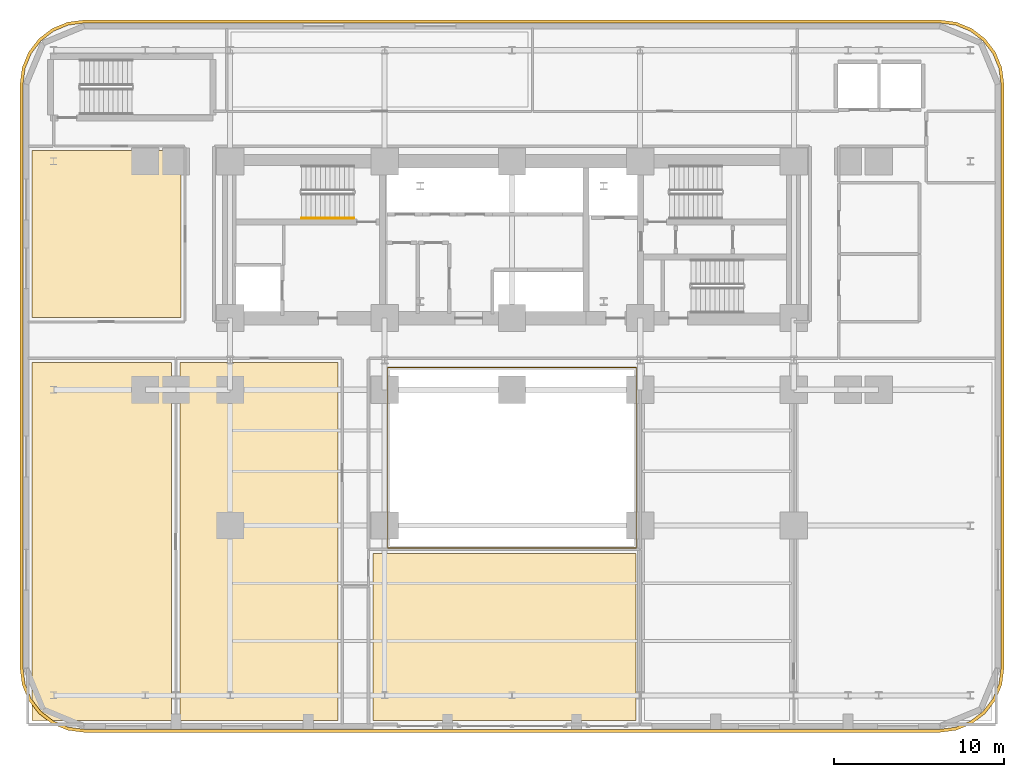
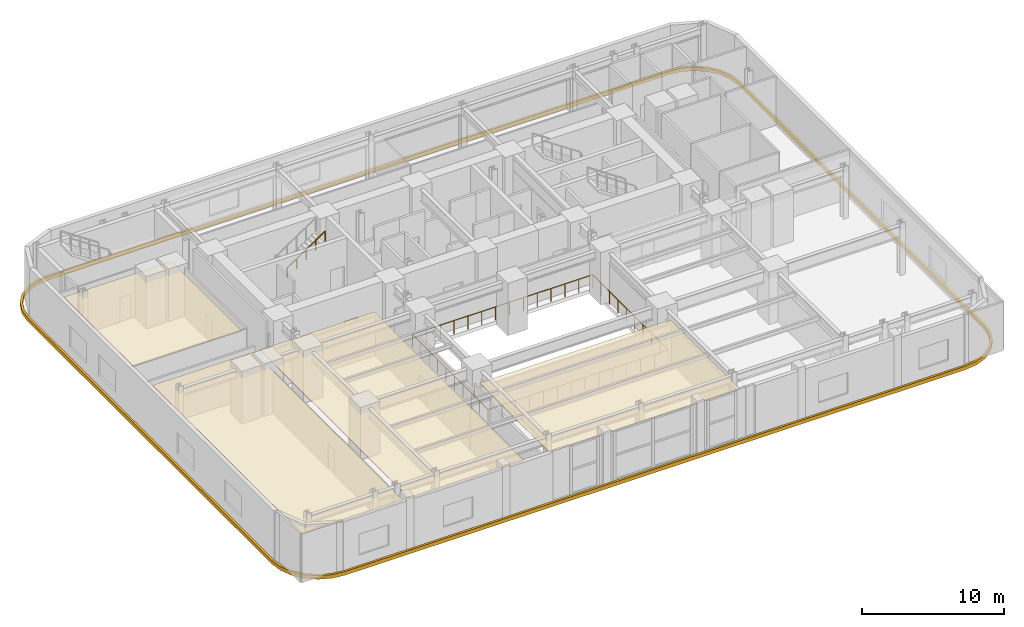
# One storey, part 10 of 14: 5 coverings, 2 railings.
"""IFC4 building model written with IfcOpenShell, lengths in metres."""

from ifc_helpers import new_model, si_unit, direction, frame, origin, origin_2d, place, context, subcontext, project, spatial, polyline, rectangle, outline, extrude, material, layer, layer_set, type_object, element, save


model = new_model("IFC4")

# Units and contexts
model_context = context("Model", 3, precision=1e-05, world=origin(), true_north=direction((0.0, 1.0)))
body_context = subcontext(model_context, "Body", "Model", "MODEL_VIEW")
ifc_project = project(units=[si_unit("LENGTHUNIT", "METRE"), si_unit("AREAUNIT", "SQUARE_METRE"), si_unit("VOLUMEUNIT", "CUBIC_METRE"), si_unit("PLANEANGLEUNIT", "RADIAN"), si_unit("MASSUNIT", "GRAM", prefix="KILO")], contexts=[model_context])

# Site, building, storey
site_placement = place(None, origin())
site = spatial("IfcSite", under=ifc_project, at=site_placement, CompositionType="ELEMENT")
building_placement = place(site_placement, origin())
building = spatial("IfcBuilding", under=site, at=building_placement, Name="Zarnavel Station Tower", CompositionType="ELEMENT")
storey_placement = place(building_placement, frame((0.0, 0.0, 10.39990234375)))
storey = spatial("IfcBuildingStorey", under=building, at=storey_placement, Name="L03", CompositionType="ELEMENT", Elevation=10.39990234375)

# Coverings
ifc_material_1 = material(Name="Perforated Gypsum and Mineral-Wool Acoustic Ceiling", Category="concrete")
ifc_layer = layer(ifc_material_1, 0.0400390625)
ifc_layer_set = layer_set([ifc_layer], Name="COV_CEIL_ACOUSTIC")
covering_type_1 = type_object("IfcCoveringType", Name="COV_CEIL_ACOUSTIC", PredefinedType="CEILING", material=ifc_layer_set)
covering_1_placement = place(storey_placement, frame((0.0, 0.0, 3.880126953125)))
element("IfcCovering", 1, at=covering_1_placement, inside=storey, type_object=covering_type_1, Name="L03 PNW Acoustic Ceiling", PredefinedType="CEILING", context=body_context, shape_type="SweptSolid", body=[
    extrude(outline(polyline([(0.530029296875, 27.85009765625), (9.300048828125, 27.85009765625), (9.300048828125, 37.699951171875), (0.530029296875, 37.699951171875), (0.530029296875, 27.85009765625)])), origin(), (0.0, 0.0, 1.0), 0.0400390625),
])
covering_2_placement = place(storey_placement, frame((0.0, 0.0, 3.880126953125)))
element("IfcCovering", 2, at=covering_2_placement, inside=storey, type_object=covering_type_1, Name="L03 DEPTW Acoustic Ceiling", PredefinedType="CEILING", context=body_context, shape_type="SweptSolid", body=[
    extrude(outline(polyline([(0.530029296875, 4.1298828125), (8.75, 4.1298828125), (8.75, 25.199951171875), (0.530029296875, 25.199951171875), (0.530029296875, 4.1298828125)])), origin(), (0.0, 0.0, 1.0), 0.0400390625),
])
covering_3_placement = place(storey_placement, frame((0.0, 0.0, 3.880126953125)))
element("IfcCovering", 3, at=covering_3_placement, inside=storey, type_object=covering_type_1, Name="L03 DEPT Acoustic Ceiling", PredefinedType="CEILING", context=body_context, shape_type="SweptSolid", body=[
    extrude(outline(polyline([(9.25, 4.1298828125), (18.550048828125, 4.1298828125), (18.550048828125, 25.199951171875), (9.25, 25.199951171875), (9.25, 4.1298828125)])), origin(), (0.0, 0.0, 1.0), 0.0400390625),
])
covering_4_placement = place(storey_placement, frame((0.0, 0.0, 3.880126953125)))
element("IfcCovering", 4, at=covering_4_placement, inside=storey, type_object=covering_type_1, Name="L03 SBTH Acoustic Ceiling", PredefinedType="CEILING", context=body_context, shape_type="SweptSolid", body=[
    extrude(outline(polyline([(20.60009765625, 4.1298828125), (36.10009765625, 4.1298828125), (36.10009765625, 13.949951171875), (20.60009765625, 13.949951171875), (20.60009765625, 4.1298828125)])), origin(), (0.0, 0.0, 1.0), 0.0400390625),
])
ifc_material_2 = material(Name="Precast concrete C45/55 (Pale Travertine Slab Band)", Category="masonry")
covering_type_2 = type_object("IfcCoveringType", Name="COV_TRAVERTINE_BAND", PredefinedType="CLADDING", material=ifc_material_2)
covering_5_placement = place(storey_placement, frame((0.0, 0.0, -0.260009765625)))
element("IfcCovering", 5, at=covering_5_placement, inside=storey, type_object=covering_type_2, Name="L03 Pale Travertine Slab-Edge Band", PredefinedType="CLADDING", context=body_context, shape_type="SweptSolid", body=[
    extrude(outline(polyline([(54.0, 3.419921875), (54.978271484375, 3.548828125), (55.889892578125, 3.926513671875), (56.6728515625, 4.527099609375), (57.273681640625, 5.31005859375), (57.651123046875, 6.2216796875), (57.780029296875, 7.199951171875), (57.780029296875, 41.60009765625), (57.651123046875, 42.578369140625), (57.273681640625, 43.489990234375), (56.6728515625, 44.27294921875), (55.889892578125, 44.87353515625), (54.978271484375, 45.251220703125), (54.0, 45.3798828125), (3.60009765625, 45.3798828125), (2.62158203125, 45.251220703125), (1.7099609375, 44.87353515625), (0.927001953125, 44.27294921875), (0.326416015625, 43.489990234375), (-0.05126953125, 42.578369140625), (-0.179931640625, 41.60009765625), (-0.179931640625, 7.199951171875), (-0.05126953125, 6.2216796875), (0.326416015625, 5.31005859375), (0.927001953125, 4.527099609375), (1.7099609375, 3.926513671875), (2.62158203125, 3.548828125), (3.60009765625, 3.419921875), (54.0, 3.419921875)]), holes=[polyline([(54.0, 3.60009765625), (54.931640625, 3.72265625), (55.800048828125, 4.082275390625), (56.545654296875, 4.654296875), (57.11767578125, 5.39990234375), (57.477294921875, 6.268310546875), (57.60009765625, 7.199951171875), (57.60009765625, 41.60009765625), (57.477294921875, 42.53173828125), (57.11767578125, 43.39990234375), (56.545654296875, 44.1455078125), (55.800048828125, 44.7177734375), (54.931640625, 45.077392578125), (54.0, 45.199951171875), (3.60009765625, 45.199951171875), (2.668212890625, 45.077392578125), (1.800048828125, 44.7177734375), (1.054443359375, 44.1455078125), (0.482421875, 43.39990234375), (0.122802734375, 42.53173828125), (0.0, 41.60009765625), (0.0, 7.199951171875), (0.122802734375, 6.268310546875), (0.482421875, 5.39990234375), (1.054443359375, 4.654296875), (1.800048828125, 4.082275390625), (2.668212890625, 3.72265625), (3.60009765625, 3.60009765625), (54.0, 3.60009765625)])]), origin(), (0.0, 0.0, 1.0), 0.320068359375),
])

# Railings
ifc_material_3 = material(Name="Painted Steel S355J2 Balustrade", Category="steel")
railing_type_1 = type_object("IfcRailingType", Name="GR_INT_1150", PredefinedType="GUARDRAIL", material=ifc_material_3)
railing_1_placement = place(storey_placement, frame((21.47998046875, 14.280029296875, 0.0)))
element("IfcRailing", 6, at=railing_1_placement, inside=storey, type_object=railing_type_1, Name="L03 Atrium Void Guardrail", PredefinedType="GUARDRAIL", context=body_context, shape_type="SweptSolid", body=[
    extrude(rectangle(XDim=0.048095703125, YDim=0.048095703125, at=origin_2d()), frame((0.001953125, 0.0, 1.1259765625), z_axis=(1.0, 0.0, 0.0), x_axis=(0.0, 1.0, 0.0)), (0.0, 0.0, 1.0), 14.63623046875),
    extrude(rectangle(XDim=0.048095703125, YDim=0.048095703125, at=origin_2d()), frame((14.64013671875, 0.001953125, 1.1259765625), z_axis=(0.0, 1.0, 0.0), x_axis=(-1.0, 0.0, 0.0)), (0.0, 0.0, 1.0), 10.635986328125),
    extrude(rectangle(XDim=0.048095703125, YDim=0.048095703125, at=origin_2d()), frame((14.63818359375, 10.639892578125, 1.1259765625), z_axis=(-1.0, 0.0, 0.0), x_axis=(0.0, -1.0, 0.0)), (0.0, 0.0, 1.0), 14.63623046875),
    extrude(rectangle(XDim=0.048095703125, YDim=0.048095703125, at=origin_2d()), frame((0.0, 10.637939453125, 1.1259765625), z_axis=(0.0, -1.0, 0.0), x_axis=(1.0, 0.0, 0.0)), (0.0, 0.0, 1.0), 10.635986328125),
    extrude(rectangle(XDim=0.0419921875, YDim=0.0419921875, at=origin_2d()), origin(), (0.0, 0.0, 1.0), 1.101806640625),
    extrude(rectangle(XDim=0.0419921875, YDim=0.0419921875, at=origin_2d()), frame((1.126220703125, 0.0, 0.0)), (0.0, 0.0, 1.0), 1.101806640625),
    extrude(rectangle(XDim=0.0419921875, YDim=0.0419921875, at=origin_2d()), frame((2.25244140625, 0.0, 0.0)), (0.0, 0.0, 1.0), 1.101806640625),
    extrude(rectangle(XDim=0.0419921875, YDim=0.0419921875, at=origin_2d()), frame((3.37841796875, 0.0, 0.0)), (0.0, 0.0, 1.0), 1.101806640625),
    extrude(rectangle(XDim=0.0419921875, YDim=0.0419921875, at=origin_2d()), frame((4.504638671875, 0.0, 0.0)), (0.0, 0.0, 1.0), 1.101806640625),
    extrude(rectangle(XDim=0.0419921875, YDim=0.0419921875, at=origin_2d()), frame((5.630859375, 0.0, 0.0)), (0.0, 0.0, 1.0), 1.101806640625),
    extrude(rectangle(XDim=0.0419921875, YDim=0.0419921875, at=origin_2d()), frame((6.757080078125, 0.0, 0.0)), (0.0, 0.0, 1.0), 1.101806640625),
    extrude(rectangle(XDim=0.0419921875, YDim=0.0419921875, at=origin_2d()), frame((7.883056640625, 0.0, 0.0)), (0.0, 0.0, 1.0), 1.101806640625),
    extrude(rectangle(XDim=0.0419921875, YDim=0.0419921875, at=origin_2d()), frame((9.00927734375, 0.0, 0.0)), (0.0, 0.0, 1.0), 1.101806640625),
    extrude(rectangle(XDim=0.0419921875, YDim=0.0419921875, at=origin_2d()), frame((10.135498046875, 0.0, 0.0)), (0.0, 0.0, 1.0), 1.101806640625),
    extrude(rectangle(XDim=0.0419921875, YDim=0.0419921875, at=origin_2d()), frame((11.26171875, 0.0, 0.0)), (0.0, 0.0, 1.0), 1.101806640625),
    extrude(rectangle(XDim=0.0419921875, YDim=0.0419921875, at=origin_2d()), frame((12.3876953125, 0.0, 0.0)), (0.0, 0.0, 1.0), 1.101806640625),
    extrude(rectangle(XDim=0.0419921875, YDim=0.0419921875, at=origin_2d()), frame((13.513916015625, 0.0, 0.0)), (0.0, 0.0, 1.0), 1.101806640625),
    extrude(rectangle(XDim=0.0419921875, YDim=0.0419921875, at=origin_2d()), frame((14.64013671875, 0.0, 0.0)), (0.0, 0.0, 1.0), 1.101806640625),
    extrude(rectangle(XDim=0.0419921875, YDim=0.0419921875, at=origin_2d()), frame((14.64013671875, 1.18212890625, 0.0)), (0.0, 0.0, 1.0), 1.101806640625),
    extrude(rectangle(XDim=0.0419921875, YDim=0.0419921875, at=origin_2d()), frame((14.64013671875, 2.364501953125, 0.0)), (0.0, 0.0, 1.0), 1.101806640625),
    extrude(rectangle(XDim=0.0419921875, YDim=0.0419921875, at=origin_2d()), frame((14.64013671875, 3.546630859375, 0.0)), (0.0, 0.0, 1.0), 1.101806640625),
    extrude(rectangle(XDim=0.0419921875, YDim=0.0419921875, at=origin_2d()), frame((14.64013671875, 4.728759765625, 0.0)), (0.0, 0.0, 1.0), 1.101806640625),
    extrude(rectangle(XDim=0.0419921875, YDim=0.0419921875, at=origin_2d()), frame((14.64013671875, 5.9111328125, 0.0)), (0.0, 0.0, 1.0), 1.101806640625),
    extrude(rectangle(XDim=0.0419921875, YDim=0.0419921875, at=origin_2d()), frame((14.64013671875, 7.09326171875, 0.0)), (0.0, 0.0, 1.0), 1.101806640625),
    extrude(rectangle(XDim=0.0419921875, YDim=0.0419921875, at=origin_2d()), frame((14.64013671875, 8.275390625, 0.0)), (0.0, 0.0, 1.0), 1.101806640625),
    extrude(rectangle(XDim=0.0419921875, YDim=0.0419921875, at=origin_2d()), frame((14.64013671875, 9.457763671875, 0.0)), (0.0, 0.0, 1.0), 1.101806640625),
    extrude(rectangle(XDim=0.0419921875, YDim=0.0419921875, at=origin_2d()), frame((14.64013671875, 10.639892578125, 0.0)), (0.0, 0.0, 1.0), 1.101806640625),
    extrude(rectangle(XDim=0.0419921875, YDim=0.0419921875, at=origin_2d()), frame((13.513916015625, 10.639892578125, 0.0)), (0.0, 0.0, 1.0), 1.101806640625),
    extrude(rectangle(XDim=0.0419921875, YDim=0.0419921875, at=origin_2d()), frame((12.3876953125, 10.639892578125, 0.0)), (0.0, 0.0, 1.0), 1.101806640625),
    extrude(rectangle(XDim=0.0419921875, YDim=0.0419921875, at=origin_2d()), frame((11.26171875, 10.639892578125, 0.0)), (0.0, 0.0, 1.0), 1.101806640625),
    extrude(rectangle(XDim=0.0419921875, YDim=0.0419921875, at=origin_2d()), frame((10.135498046875, 10.639892578125, 0.0)), (0.0, 0.0, 1.0), 1.101806640625),
    extrude(rectangle(XDim=0.0419921875, YDim=0.0419921875, at=origin_2d()), frame((9.00927734375, 10.639892578125, 0.0)), (0.0, 0.0, 1.0), 1.101806640625),
    extrude(rectangle(XDim=0.0419921875, YDim=0.0419921875, at=origin_2d()), frame((7.883056640625, 10.639892578125, 0.0)), (0.0, 0.0, 1.0), 1.101806640625),
    extrude(rectangle(XDim=0.0419921875, YDim=0.0419921875, at=origin_2d()), frame((6.757080078125, 10.639892578125, 0.0)), (0.0, 0.0, 1.0), 1.101806640625),
    extrude(rectangle(XDim=0.0419921875, YDim=0.0419921875, at=origin_2d()), frame((5.630859375, 10.639892578125, 0.0)), (0.0, 0.0, 1.0), 1.101806640625),
    extrude(rectangle(XDim=0.0419921875, YDim=0.0419921875, at=origin_2d()), frame((4.504638671875, 10.639892578125, 0.0)), (0.0, 0.0, 1.0), 1.101806640625),
    extrude(rectangle(XDim=0.0419921875, YDim=0.0419921875, at=origin_2d()), frame((3.37841796875, 10.639892578125, 0.0)), (0.0, 0.0, 1.0), 1.101806640625),
    extrude(rectangle(XDim=0.0419921875, YDim=0.0419921875, at=origin_2d()), frame((2.25244140625, 10.639892578125, 0.0)), (0.0, 0.0, 1.0), 1.101806640625),
    extrude(rectangle(XDim=0.0419921875, YDim=0.0419921875, at=origin_2d()), frame((1.126220703125, 10.639892578125, 0.0)), (0.0, 0.0, 1.0), 1.101806640625),
    extrude(rectangle(XDim=0.0419921875, YDim=0.0419921875, at=origin_2d()), frame((0.0, 10.639892578125, 0.0)), (0.0, 0.0, 1.0), 1.101806640625),
    extrude(rectangle(XDim=0.0419921875, YDim=0.0419921875, at=origin_2d()), frame((0.0, 9.457763671875, 0.0)), (0.0, 0.0, 1.0), 1.101806640625),
    extrude(rectangle(XDim=0.0419921875, YDim=0.0419921875, at=origin_2d()), frame((0.0, 8.275390625, 0.0)), (0.0, 0.0, 1.0), 1.101806640625),
    extrude(rectangle(XDim=0.0419921875, YDim=0.0419921875, at=origin_2d()), frame((0.0, 7.09326171875, 0.0)), (0.0, 0.0, 1.0), 1.101806640625),
    extrude(rectangle(XDim=0.0419921875, YDim=0.0419921875, at=origin_2d()), frame((0.0, 5.9111328125, 0.0)), (0.0, 0.0, 1.0), 1.101806640625),
    extrude(rectangle(XDim=0.0419921875, YDim=0.0419921875, at=origin_2d()), frame((0.0, 4.728759765625, 0.0)), (0.0, 0.0, 1.0), 1.101806640625),
    extrude(rectangle(XDim=0.0419921875, YDim=0.0419921875, at=origin_2d()), frame((0.0, 3.546630859375, 0.0)), (0.0, 0.0, 1.0), 1.101806640625),
    extrude(rectangle(XDim=0.0419921875, YDim=0.0419921875, at=origin_2d()), frame((0.0, 2.364501953125, 0.0)), (0.0, 0.0, 1.0), 1.101806640625),
    extrude(rectangle(XDim=0.0419921875, YDim=0.0419921875, at=origin_2d()), frame((0.0, 1.18212890625, 0.0)), (0.0, 0.0, 1.0), 1.101806640625),
])
ifc_material_4 = material(Name="Brushed Stainless Steel S355J2 Handrail", Category="steel")
railing_type_2 = type_object("IfcRailingType", Name="HR_STAIR_900", PredefinedType="HANDRAIL", material=ifc_material_4)
railing_2_placement = place(storey_placement, frame((16.39990234375, 33.7099609375, 2.4375)))
element("IfcRailing", 7, at=railing_2_placement, inside=storey, type_object=railing_type_2, Name="L03 ST1 stair handrail 2", PredefinedType="HANDRAIL", context=body_context, shape_type="SweptSolid", body=[
    extrude(rectangle(XDim=0.048095703125, YDim=0.048095703125, at=origin_2d()), frame((0.001708984375, 0.0, 0.876953125), z_axis=(0.830913701846, 0.0, 0.55640131208), x_axis=(0.0, 1.0, 0.0)), (0.0, 0.0, 1.0), 3.702880859375),
    extrude(rectangle(XDim=0.0419921875, YDim=0.0419921875, at=origin_2d()), origin(), (0.0, 0.0, 1.0), 0.851806640625),
    extrude(rectangle(XDim=0.0419921875, YDim=0.0419921875, at=origin_2d()), frame((0.77001953125, 0.0, 0.515625)), (0.0, 0.0, 1.0), 0.851806640625),
    extrude(rectangle(XDim=0.0419921875, YDim=0.0419921875, at=origin_2d()), frame((1.5400390625, 0.0, 1.03125)), (0.0, 0.0, 1.0), 0.851806640625),
    extrude(rectangle(XDim=0.0419921875, YDim=0.0419921875, at=origin_2d()), frame((2.31005859375, 0.0, 1.546875)), (0.0, 0.0, 1.0), 0.851806640625),
    extrude(rectangle(XDim=0.0419921875, YDim=0.0419921875, at=origin_2d()), frame((3.080078125, 0.0, 2.0625)), (0.0, 0.0, 1.0), 0.851806640625),
])

save(model, "model.ifc")
